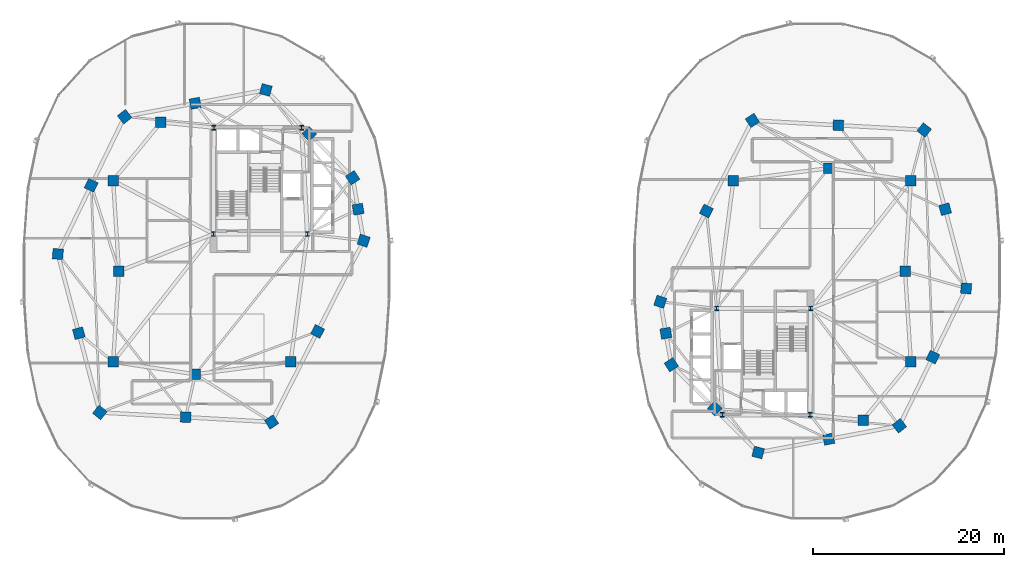
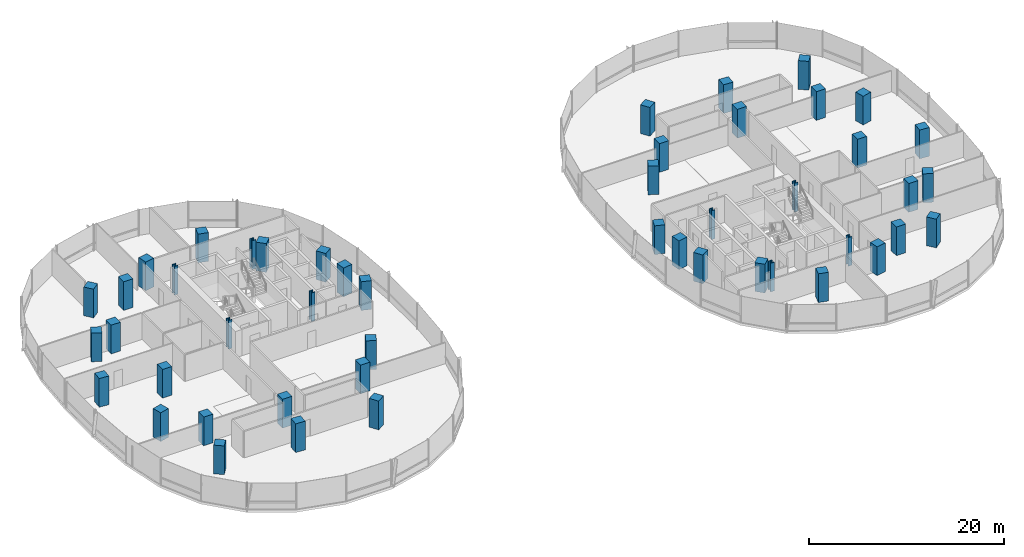
# One storey, part 1 of 21: 48 columns.
"""IFC4 building model written with IfcOpenShell, lengths in metres."""

from ifc_helpers import new_model, si_unit, direction, frame, origin, origin_2d, place, context, subcontext, project, spatial, rectangle, i_section, extrude, material, material_profile, profile_set, type_object, element, save


model = new_model("IFC4")

# Units and contexts
model_context = context("Model", 3, precision=1e-05, world=origin(), true_north=direction((0.0, 1.0)))
body_context = subcontext(model_context, "Body", "Model", "MODEL_VIEW")
ifc_project = project(units=[si_unit("LENGTHUNIT", "METRE"), si_unit("AREAUNIT", "SQUARE_METRE"), si_unit("VOLUMEUNIT", "CUBIC_METRE"), si_unit("PLANEANGLEUNIT", "RADIAN"), si_unit("MASSUNIT", "GRAM", prefix="KILO"), si_unit("THERMODYNAMICTEMPERATUREUNIT", "KELVIN"), si_unit("POWERUNIT", "WATT")], contexts=[model_context])

# Site, building, storey
site_placement = place(None, origin())
site = spatial("IfcSite", under=ifc_project, at=site_placement, CompositionType="ELEMENT")
building_placement = place(site_placement, origin())
building = spatial("IfcBuilding", under=site, at=building_placement, Name="Cundina Bronze Exchange", CompositionType="ELEMENT")
storey_placement = place(building_placement, frame((0.0, 0.0, 92.60009765625)))
storey = spatial("IfcBuildingStorey", under=building, at=storey_placement, Name="L23", CompositionType="ELEMENT", Elevation=92.60009765625)

# Columns
ifc_material_1 = material(Name="Steel ASTM A992 Grade 50", Category="steel")
ifc_material_profile_1 = material_profile(ifc_material_1, i_section(OverallWidth=0.431884765625, OverallDepth=0.498046875, WebThickness=0.0556640625, FlangeThickness=0.0888671875, FilletRadius=0.01806640625, at=origin_2d()), Name="W14X500", Category="steel")
ifc_profile_set_1 = profile_set([ifc_material_profile_1], Name="Steel ASTM A992 Grade 50")
column_type_1 = type_object("IfcColumnType", Name="COL-STL-W14A", PredefinedType="COLUMN", material=ifc_profile_set_1)
for number, where, z_axis, x_axis, name in (
    (1, (-31.300048828125, 3.89990234375, 0.0), (0.0, 0.0, 1.0), (1.0, 0.0, 0.0), "L23 Core Anchor Column W1"),
    (2, (-21.449951171875, 3.89990234375, 0.0), (0.0, 0.0, 1.0), (1.0, 0.0, 0.0), "L23 Core Anchor Column W2"),
    (3, (-22.050048828125, 15.050048828125, 0.0), (0.0, 0.0, 1.0), (1.0, 0.0, 0.0), "L23 Core Anchor Column W3"),
    (4, (-31.25, 15.050048828125, 0.0), (0.0, 0.0, 1.0), (1.0, 0.0, 0.0), "L23 Core Anchor Column W4"),
    (5, (31.300048828125, -3.89990234375, 0.0), (0.0, 0.0, 1.0), (1.0, 0.0, 0.0), "L23 Core Anchor Column E1"),
    (6, (21.449951171875, -3.89990234375, 0.0), (0.0, 0.0, 1.0), (1.0, 0.0, 0.0), "L23 Core Anchor Column E2"),
    (7, (22.050048828125, -15.050048828125, 0.0), (0.0, 0.0, 1.0), (1.0, 0.0, 0.0), "L23 Core Anchor Column E3"),
    (8, (31.25, -15.050048828125, 0.0), (0.0, 0.0, 1.0), (1.0, 0.0, 0.0), "L23 Core Anchor Column E4"),
):
    element("IfcColumn", number, at=place(storey_placement, frame(where, z_axis=z_axis, x_axis=x_axis)), inside=storey, type_object=column_type_1, Name=name, PredefinedType="COLUMN", context=body_context, shape_type="SweptSolid", body=[
        extrude(i_section(OverallWidth=0.431884765625, OverallDepth=0.498046875, WebThickness=0.0556640625, FlangeThickness=0.0888671875, FilletRadius=0.01806640625, at=origin_2d()), origin(), (0.0, 0.0, 1.0), 3.599853515625),
    ])
ifc_material_2 = material(Name="Concrete C60/75", Category="concrete")
ifc_material_profile_2 = material_profile(ifc_material_2, rectangle(XDim=1.10009765625, YDim=1.10009765625, at=origin_2d()), Name="RC1100X1100", Category="concrete")
ifc_profile_set_2 = profile_set([ifc_material_profile_2], Name="Concrete C60/75")
column_type_2 = type_object("IfcColumnType", Name="COL-Z2-1100", PredefinedType="COLUMN", material=ifc_profile_set_2)
for number, where, z_axis, x_axis, name in (
    (9, (-41.199951171875, 0.0, 0.0), (0.0, 0.0, 1.0), (1.0, 0.0, 0.0), "L23 W Inner Ring Column 1"),
    (10, (-41.800048828125, 9.5, 0.0), (0.0, 0.0, 1.0), (1.0, 0.0, 0.0), "L23 W Inner Ring Column 2"),
    (11, (-36.800048828125, 15.60009765625, 0.0), (0.0, 0.0, 1.0), (1.0, 0.0, 0.0), "L23 W Inner Ring Column 3"),
    (12, (-41.800048828125, -9.5, 0.0), (0.0, 0.0, 1.0), (1.0, 0.0, 0.0), "L23 W Inner Ring Column 4"),
    (13, (-33.199951171875, -10.800048828125, 0.0), (0.0, 0.0, 1.0), (1.0, 0.0, 0.0), "L23 W Inner Ring Column 5"),
    (14, (-23.199951171875, -9.5, 0.0), (0.0, 0.0, 1.0), (1.0, 0.0, 0.0), "L23 W Inner Ring Column 6"),
    (15, (41.199951171875, 0.0, 0.0), (0.0, 0.0, 1.0), (1.0, 0.0, 0.0), "L23 E Inner Ring Column 1"),
    (16, (41.800048828125, -9.5, 0.0), (0.0, 0.0, 1.0), (1.0, 0.0, 0.0), "L23 E Inner Ring Column 2"),
    (17, (36.800048828125, -15.60009765625, 0.0), (0.0, 0.0, 1.0), (1.0, 0.0, 0.0), "L23 E Inner Ring Column 3"),
    (18, (41.800048828125, 9.5, 0.0), (0.0, 0.0, 1.0), (1.0, 0.0, 0.0), "L23 E Inner Ring Column 4"),
    (19, (33.199951171875, 10.800048828125, 0.0), (0.0, 0.0, 1.0), (1.0, 0.0, 0.0), "L23 E Inner Ring Column 5"),
    (20, (23.199951171875, 9.5, 0.0), (0.0, 0.0, 1.0), (1.0, 0.0, 0.0), "L23 E Inner Ring Column 6"),
    (21, (-15.550048828125, 3.199951171875, 0.0), (0.0, 0.0, 1.0), (0.315152163383, 0.949041155016, 0.0), "L23 W Perimeter Column 00"),
    (22, (-16.125, 6.5, 0.0), (0.0, 0.0, 1.0), (-0.171585221787, 0.985169280715, 0.0), "L23 W Perimeter Column 01"),
    (23, (-16.699951171875, 9.800048828125, 0.0), (0.0, 0.0, 1.0), (-0.544199833495, 0.838955625301, 0.0), "L23 W Perimeter Column 02"),
    (24, (-21.25, 14.39990234375, 0.0), (0.0, 0.0, 1.0), (-0.703270634186, 0.710922228581, 0.0), "L23 W Perimeter Column 03"),
    (25, (-25.800048828125, 19.0, 0.0), (0.0, 0.0, 1.0), (-0.965970984022, 0.258650455301, 0.0), "L23 W Perimeter Column 04"),
    (26, (-33.199951171875, 17.60009765625, 0.0), (0.0, 0.0, 1.0), (-0.98258037664, -0.185838110843, 0.0), "L23 W Perimeter Column 05"),
    (27, (-40.60009765625, 16.199951171875, 0.0), (0.0, 0.0, 1.0), (-0.785100778485, -0.619368038909, 0.0), "L23 W Perimeter Column 06"),
    (28, (-44.10009765625, 9.0, 0.0), (0.0, 0.0, 1.0), (-0.437115766651, -0.899405251566, 0.0), "L23 W Perimeter Column 07"),
    (29, (-47.60009765625, 1.800048828125, 0.0), (0.0, 0.0, 1.0), (-0.083503921245, -0.996507448611, 0.0), "L23 W Perimeter Column 08"),
    (30, (-45.39990234375, -6.5, 0.0), (0.0, 0.0, 1.0), (0.256289373133, -0.966600102017, 0.0), "L23 W Perimeter Column 09"),
    (31, (-43.199951171875, -14.800048828125, 0.0), (0.0, 0.0, 1.0), (0.786288432137, -0.61785961309, 0.0), "L23 W Perimeter Column 10"),
    (32, (-34.199951171875, -15.300048828125, 0.0), (0.0, 0.0, 1.0), (0.998460188734, -0.055472980025, 0.0), "L23 W Perimeter Column 11"),
    (33, (-25.199951171875, -15.800048828125, 0.0), (0.0, 0.0, 1.0), (0.838099763533, 0.545516989988, 0.0), "L23 W Perimeter Column 12"),
    (34, (-20.375, -6.300048828125, 0.0), (0.0, 0.0, 1.0), (0.452901591366, 0.891560513111, 0.0), "L23 W Perimeter Column 13"),
    (35, (15.550048828125, -3.199951171875, 0.0), (0.0, 0.0, 1.0), (-0.315152163383, -0.949041155016, 0.0), "L23 E Perimeter Column 00"),
    (36, (16.125, -6.5, 0.0), (0.0, 0.0, 1.0), (0.171585221787, -0.985169280715, 0.0), "L23 E Perimeter Column 01"),
    (37, (16.699951171875, -9.800048828125, 0.0), (0.0, 0.0, 1.0), (0.544199833495, -0.838955625301, 0.0), "L23 E Perimeter Column 02"),
    (38, (21.25, -14.39990234375, 0.0), (0.0, 0.0, 1.0), (0.703270634186, -0.710922228581, 0.0), "L23 E Perimeter Column 03"),
    (39, (25.800048828125, -19.0, 0.0), (0.0, 0.0, 1.0), (0.965970984022, -0.258650455301, 0.0), "L23 E Perimeter Column 04"),
    (40, (33.199951171875, -17.60009765625, 0.0), (0.0, 0.0, 1.0), (0.98258037664, 0.185838110843, 0.0), "L23 E Perimeter Column 05"),
    (41, (40.60009765625, -16.199951171875, 0.0), (0.0, 0.0, 1.0), (0.785100778485, 0.619368038909, 0.0), "L23 E Perimeter Column 06"),
    (42, (44.10009765625, -9.0, 0.0), (0.0, 0.0, 1.0), (0.437115766651, 0.899405251566, 0.0), "L23 E Perimeter Column 07"),
    (43, (47.60009765625, -1.800048828125, 0.0), (0.0, 0.0, 1.0), (0.083503921245, 0.996507448611, 0.0), "L23 E Perimeter Column 08"),
    (44, (45.39990234375, 6.5, 0.0), (0.0, 0.0, 1.0), (-0.256289373133, 0.966600102017, 0.0), "L23 E Perimeter Column 09"),
    (45, (43.199951171875, 14.800048828125, 0.0), (0.0, 0.0, 1.0), (-0.786288432137, 0.61785961309, 0.0), "L23 E Perimeter Column 10"),
    (46, (34.199951171875, 15.300048828125, 0.0), (0.0, 0.0, 1.0), (-0.998460188734, 0.055472980025, 0.0), "L23 E Perimeter Column 11"),
    (47, (25.199951171875, 15.800048828125, 0.0), (0.0, 0.0, 1.0), (-0.838099763533, -0.545516989988, 0.0), "L23 E Perimeter Column 12"),
    (48, (20.375, 6.300048828125, 0.0), (0.0, 0.0, 1.0), (-0.452901591366, -0.891560513111, 0.0), "L23 E Perimeter Column 13"),
):
    element("IfcColumn", number, at=place(storey_placement, frame(where, z_axis=z_axis, x_axis=x_axis)), inside=storey, type_object=column_type_2, Name=name, PredefinedType="COLUMN", context=body_context, shape_type="SweptSolid", body=[
        extrude(rectangle(XDim=1.10009765625, YDim=1.10009765625, at=origin_2d()), origin(), (0.0, 0.0, 1.0), 3.599853515625),
    ])

save(model, "model.ifc")
